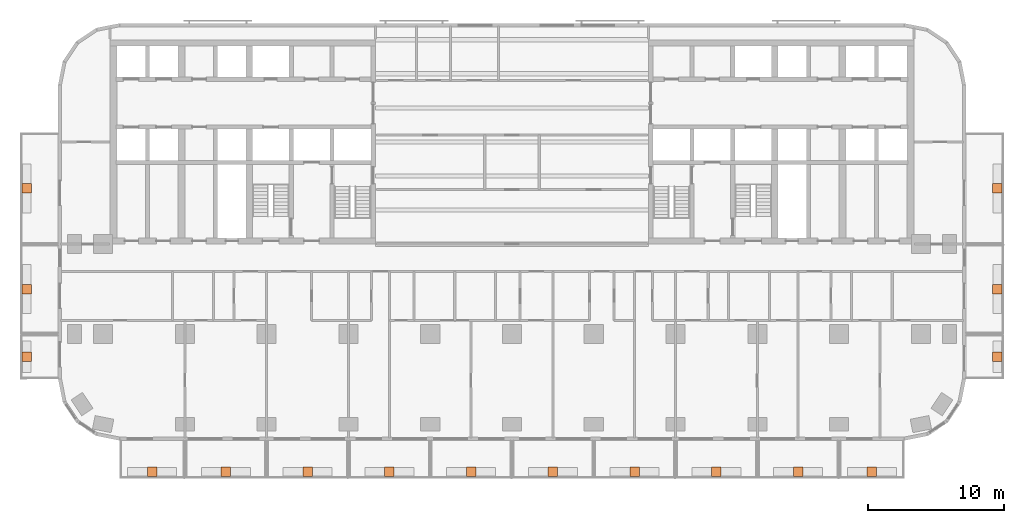
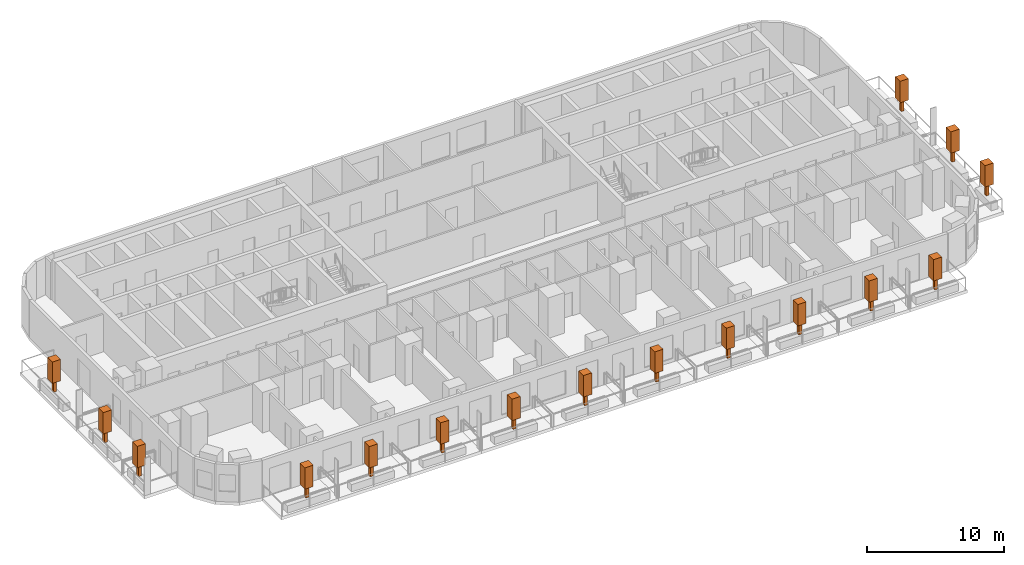
# One storey, part 14 of 14: 16 geographic elements.
"""IFC4 building model written with IfcOpenShell, lengths in metres."""

import ifcopenshell
import ifcopenshell.guid

model = None  # the IFC model being written
_history = None  # IfcOwnerHistory: only IFC2X3 demands one
_inside = {}  # id of a spatial element -> (the spatial element, [elements in it])
_under = {}  # id of a project, library or spatial element -> (it, [spatial elements below it])
_declared = {}  # id of a project -> (the project, [libraries it declares])
_typed = {}  # id of a type object -> (the type object, [elements of that type])
_made_of = {}  # id of a material, layer set ... -> (it, [elements and type objects made of it])


def new_model(schema):
    """Start an empty IFC model of exactly this schema.

    Asked for "IFC4X3", IfcOpenShell would pick the latest addendum, in which some entities
    have other attributes; the version numbers below select the first issue.
    IFC2X3 requires an IfcOwnerHistory on every rooted entity: one is made here for all.
    """
    global model, _history
    if schema == "IFC4X3":
        model = ifcopenshell.file(schema_version=(4, 3, 0, 0))
    else:
        model = ifcopenshell.file(schema=schema)
    _inside.clear()
    _under.clear()
    _declared.clear()
    _typed.clear()
    _made_of.clear()
    _history = None
    if model.schema == "IFC2X3":
        org = make("IfcOrganization", Name="unknown")
        user = make(
            "IfcPersonAndOrganization",
            ThePerson=make("IfcPerson", FamilyName="unknown"),
            TheOrganization=org,
        )
        app = make(
            "IfcApplication",
            ApplicationDeveloper=org,
            Version="unknown",
            ApplicationFullName="unknown",
            ApplicationIdentifier="unknown",
        )
        _history = make(
            "IfcOwnerHistory",
            OwningUser=user,
            OwningApplication=app,
            ChangeAction="ADDED",
            CreationDate=0,
        )
    return model


def make(cls, **values):
    """One entity of the class cls with the attributes given. An attribute that is None is left unset."""
    return model.create_entity(
        cls, **{name: value for name, value in values.items() if value is not None}
    )


def rooted(cls, **values):
    """An entity with a GlobalId (a new one), such as an element, a storey or a relation."""
    return make(cls, GlobalId=ifcopenshell.guid.new(), OwnerHistory=_history, **values)


def si_unit(unit_type, name, prefix=None):
    """IfcSIUnit, for example si_unit("LENGTHUNIT", "METRE", prefix="MILLI")."""
    return make("IfcSIUnit", UnitType=unit_type, Prefix=prefix, Name=name)


def assignment(units):
    """IfcUnitAssignment: the units of a project."""
    return None if units is None else make("IfcUnitAssignment", Units=units)


def point(xyz):
    """IfcCartesianPoint."""
    return None if xyz is None else make("IfcCartesianPoint", Coordinates=xyz)


def direction(xyz):
    """IfcDirection."""
    return None if xyz is None else make("IfcDirection", DirectionRatios=xyz)


def frame(location, z_axis=None, x_axis=None):
    """IfcAxis2Placement3D, a coordinate frame: its origin and axes. An axis left out is left unset."""
    return make(
        "IfcAxis2Placement3D",
        Location=point(location),
        Axis=direction(z_axis),
        RefDirection=direction(x_axis),
    )


def frame_2d(location, x_axis=None):
    """IfcAxis2Placement2D, a coordinate frame in the plane: its origin and x axis."""
    return make(
        "IfcAxis2Placement2D", Location=point(location), RefDirection=direction(x_axis)
    )


def origin():
    """The frame at (0, 0, 0) with its axes left unset."""
    return frame((0.0, 0.0, 0.0))


def origin_2d():
    """The frame at (0, 0) in the plane with its x axis left unset."""
    return frame_2d((0.0, 0.0))


def place(relative_to, where):
    """IfcLocalPlacement: puts the frame where relative to a parent placement (None: the world)."""
    return make(
        "IfcLocalPlacement", PlacementRelTo=relative_to, RelativePlacement=where
    )


def context(
    kind, dimensions, precision=None, world=None, true_north=None, identifier=None
):
    """IfcGeometricRepresentationContext, for example the 3D "Model" context."""
    return make(
        "IfcGeometricRepresentationContext",
        ContextIdentifier=identifier,
        ContextType=kind,
        CoordinateSpaceDimension=dimensions,
        Precision=precision,
        WorldCoordinateSystem=world,
        TrueNorth=true_north,
    )


def subcontext(parent, identifier, kind, view, scale=None):
    """IfcGeometricRepresentationSubContext, for example "Body" below "Model"."""
    return make(
        "IfcGeometricRepresentationSubContext",
        ContextIdentifier=identifier,
        ContextType=kind,
        ParentContext=parent,
        TargetScale=scale,
        TargetView=view,
    )


def project(units=None, contexts=None):
    """IfcProject with its units and contexts."""
    return rooted(
        "IfcProject",
        Name="project",
        RepresentationContexts=contexts,
        UnitsInContext=assignment(units),
    )


def spatial(cls, under=None, at=None, **own):
    """A site, building, storey or space (cls), placed at a placement, below another one or the project."""
    s = rooted(cls, ObjectPlacement=at, **own)
    if under is not None:
        _under.setdefault(under.id(), (under, []))[1].append(s)
    return s


def profile(cls, at=None, kind="AREA", **sizes):
    """A parametric profile (cls). Its sizes go by their IFC names, for example OverallWidth=200.0."""
    return make(cls, ProfileType=kind, Position=at, **sizes)


def rectangle(**sizes):
    """IfcRectangleProfileDef."""
    return profile("IfcRectangleProfileDef", **sizes)


def extrude(swept, where, along, depth):
    """IfcExtrudedAreaSolid: the profile swept, set in the frame where, extruded along a direction by depth."""
    return make(
        "IfcExtrudedAreaSolid",
        SweptArea=swept,
        Position=where,
        ExtrudedDirection=direction(along),
        Depth=depth,
    )


def shape(context_of_items, identifier, shape_type, items):
    """IfcShapeRepresentation: the items that make up one representation, for example the "Body"."""
    return make(
        "IfcShapeRepresentation",
        ContextOfItems=context_of_items,
        RepresentationIdentifier=identifier,
        RepresentationType=shape_type,
        Items=items,
    )


def material(Name=None, Category=None):
    """IfcMaterial."""
    return make("IfcMaterial", Name=Name, Category=Category)


def made_of(thing, what):
    """Note that an element or type object is made of a material, layer set ...; save() writes the relation."""
    if what is not None:
        _made_of.setdefault(what.id(), (what, []))[1].append(thing)
    return thing


def element(
    cls,
    number,
    at=None,
    inside=None,
    cuts=None,
    type_object=None,
    material=None,
    context=None,
    identifier="Body",
    shape_type=None,
    held_by="IfcProductDefinitionShape",
    body=None,
    shapes=None,
    **own,
):
    """One element of the class cls, such as IfcWall. Its Tag is "e" and its number.

    at: its placement. inside: the storey or other place that contains it. cuts: it is an
    opening in that element (IfcRelVoidsElement). A single representation is given by context,
    identifier, shape_type and body (its items); several are given by shapes. held_by: the class
    of the entity that holds the representations. save() writes the other relations.
    """
    e = rooted(cls, Tag="e%d" % number, ObjectPlacement=at, **own)
    if body is not None:
        shapes = [shape(context, identifier, shape_type, body)]
    if shapes is not None:
        e.Representation = make(held_by, Representations=shapes)
    if inside is not None:
        _inside.setdefault(inside.id(), (inside, []))[1].append(e)
    if cuts is not None:
        rooted(
            "IfcRelVoidsElement", RelatingBuildingElement=cuts, RelatedOpeningElement=e
        )
    if type_object is not None:
        _typed.setdefault(type_object.id(), (type_object, []))[1].append(e)
    return made_of(e, material)


def aggregate(whole, parts):
    """IfcRelAggregates: a whole, such as a stair, and the parts it consists of."""
    return rooted("IfcRelAggregates", RelatingObject=whole, RelatedObjects=parts)


def save(model, path):
    """Write the relations noted so far, then the file.

    IfcRelAggregates (storeys below a building ...), IfcRelContainedInSpatialStructure (elements
    in a storey), IfcRelDefinesByType, IfcRelAssociatesMaterial and IfcRelDeclares: one each for
    every whole, place, type object, material and project.
    """
    for whole, parts in _under.values():
        aggregate(whole, parts)
    for where, things in _inside.values():
        rooted(
            "IfcRelContainedInSpatialStructure",
            RelatedElements=things,
            RelatingStructure=where,
        )
    for kind, things in _typed.values():
        rooted("IfcRelDefinesByType", RelatedObjects=things, RelatingType=kind)
    for what, things in _made_of.values():
        rooted("IfcRelAssociatesMaterial", RelatedObjects=things, RelatingMaterial=what)
    for by, libraries in _declared.values():
        rooted("IfcRelDeclares", RelatingContext=by, RelatedDefinitions=libraries)
    model.write(path)


model = new_model("IFC4")

# Units and contexts
model_context = context("Model", 3, precision=1e-05, world=origin(), true_north=direction((0.0, 1.0)))
body_context = subcontext(model_context, "Body", "Model", "MODEL_VIEW")
ifc_project = project(units=[si_unit("LENGTHUNIT", "METRE"), si_unit("AREAUNIT", "SQUARE_METRE"), si_unit("VOLUMEUNIT", "CUBIC_METRE"), si_unit("PLANEANGLEUNIT", "RADIAN"), si_unit("MASSUNIT", "GRAM", prefix="KILO")], contexts=[model_context])

# Site, building, storey
site_placement = place(None, origin())
site = spatial("IfcSite", under=ifc_project, at=site_placement, CompositionType="ELEMENT")
building_placement = place(site_placement, origin())
building = spatial("IfcBuilding", under=site, at=building_placement, Name="Torana Hotel and Residences", CompositionType="ELEMENT")
storey_placement = place(building_placement, frame((0.0, 0.0, 96.0)))
storey = spatial("IfcBuildingStorey", under=building, at=storey_placement, Name="L24", CompositionType="ELEMENT", Elevation=96.0)

# Geographic elements
ifc_material = material(Name="Foliage", Category="planting")
for number, where, z_axis, x_axis, name in (
    (1, (-26.39990234375, -31.699951171875, 0.64990234375), (0.0, 0.0, 1.0), (1.0, 0.0, 0.0), "Tree 01"),
    (2, (-21.0, -31.699951171875, 0.64990234375), (0.0, 0.0, 1.0), (1.0, 0.0, 0.0), "Tree 02"),
    (3, (-15.0, -31.699951171875, 0.64990234375), (0.0, 0.0, 1.0), (1.0, 0.0, 0.0), "Tree 03"),
    (4, (-9.0, -31.699951171875, 0.64990234375), (0.0, 0.0, 1.0), (1.0, 0.0, 0.0), "Tree 04"),
    (5, (-3.0, -31.699951171875, 0.64990234375), (0.0, 0.0, 1.0), (1.0, 0.0, 0.0), "Tree 05"),
    (6, (3.0, -31.699951171875, 0.64990234375), (0.0, 0.0, 1.0), (1.0, 0.0, 0.0), "Tree 06"),
    (7, (9.0, -31.699951171875, 0.64990234375), (0.0, 0.0, 1.0), (1.0, 0.0, 0.0), "Tree 07"),
    (8, (15.0, -31.699951171875, 0.64990234375), (0.0, 0.0, 1.0), (1.0, 0.0, 0.0), "Tree 08"),
    (9, (21.0, -31.699951171875, 0.64990234375), (0.0, 0.0, 1.0), (1.0, 0.0, 0.0), "Tree 09"),
    (10, (26.39990234375, -31.699951171875, 0.64990234375), (0.0, 0.0, 1.0), (1.0, 0.0, 0.0), "Tree 10"),
    (11, (-35.60009765625, -23.25, 0.64990234375), (0.0, 0.0, 1.0), (1.0, 0.0, 0.0), "Tree 11"),
    (12, (-35.60009765625, -18.300048828125, 0.64990234375), (0.0, 0.0, 1.0), (1.0, 0.0, 0.0), "Tree 12"),
    (13, (-35.60009765625, -10.89990234375, 0.64990234375), (0.0, 0.0, 1.0), (1.0, 0.0, 0.0), "Tree 13"),
    (14, (35.60009765625, -23.25, 0.64990234375), (0.0, 0.0, 1.0), (1.0, 0.0, 0.0), "Tree 14"),
    (15, (35.60009765625, -18.300048828125, 0.64990234375), (0.0, 0.0, 1.0), (1.0, 0.0, 0.0), "Tree 15"),
    (16, (35.60009765625, -10.89990234375, 0.64990234375), (0.0, 0.0, 1.0), (1.0, 0.0, 0.0), "Tree 16"),
):
    element("IfcGeographicElement", number, at=place(storey_placement, frame(where, z_axis=z_axis, x_axis=x_axis)), inside=storey, material=ifc_material, Name=name, ObjectType="TREE", PredefinedType="USERDEFINED", context=body_context, shape_type="SweptSolid", body=[
        extrude(rectangle(XDim=0.25, YDim=0.25, at=origin_2d()), origin(), (0.0, 0.0, 1.0), 1.0),
        extrude(rectangle(XDim=0.699951171875, YDim=0.699951171875, at=origin_2d()), frame((0.0, 0.0, 1.000244140625)), (0.0, 0.0, 1.0), 1.89990234375),
    ])

save(model, "model.ifc")
